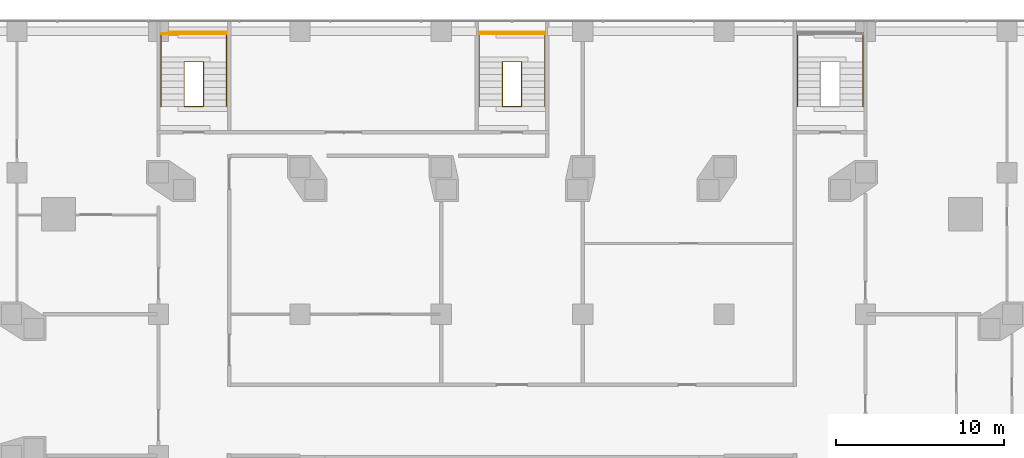
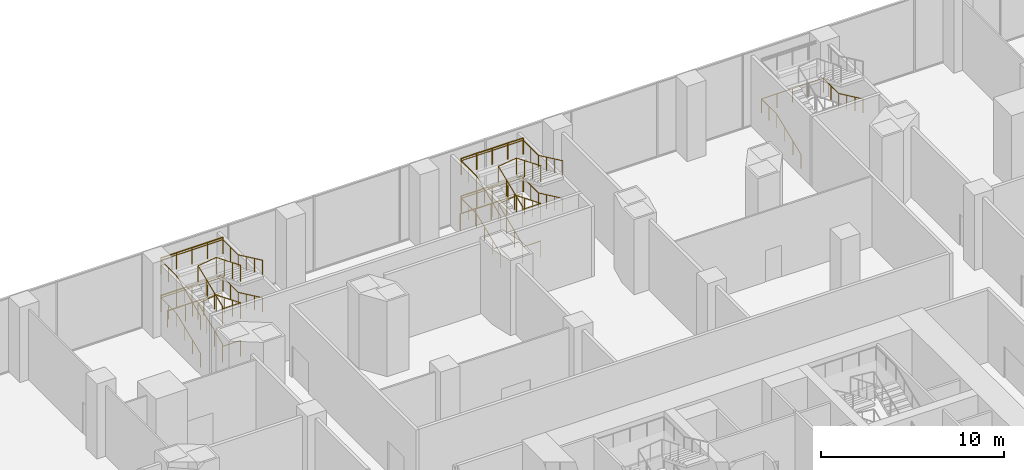
# One storey, part 27 of 28: 15 railings.
"""IFC4 building model written with IfcOpenShell, lengths in metres."""

import ifcopenshell
import ifcopenshell.guid

model = None  # the IFC model being written
_history = None  # IfcOwnerHistory: only IFC2X3 demands one
_inside = {}  # id of a spatial element -> (the spatial element, [elements in it])
_under = {}  # id of a project, library or spatial element -> (it, [spatial elements below it])
_declared = {}  # id of a project -> (the project, [libraries it declares])
_typed = {}  # id of a type object -> (the type object, [elements of that type])
_made_of = {}  # id of a material, layer set ... -> (it, [elements and type objects made of it])


def new_model(schema):
    """Start an empty IFC model of exactly this schema.

    Asked for "IFC4X3", IfcOpenShell would pick the latest addendum, in which some entities
    have other attributes; the version numbers below select the first issue.
    IFC2X3 requires an IfcOwnerHistory on every rooted entity: one is made here for all.
    """
    global model, _history
    if schema == "IFC4X3":
        model = ifcopenshell.file(schema_version=(4, 3, 0, 0))
    else:
        model = ifcopenshell.file(schema=schema)
    _inside.clear()
    _under.clear()
    _declared.clear()
    _typed.clear()
    _made_of.clear()
    _history = None
    if model.schema == "IFC2X3":
        org = make("IfcOrganization", Name="unknown")
        user = make(
            "IfcPersonAndOrganization",
            ThePerson=make("IfcPerson", FamilyName="unknown"),
            TheOrganization=org,
        )
        app = make(
            "IfcApplication",
            ApplicationDeveloper=org,
            Version="unknown",
            ApplicationFullName="unknown",
            ApplicationIdentifier="unknown",
        )
        _history = make(
            "IfcOwnerHistory",
            OwningUser=user,
            OwningApplication=app,
            ChangeAction="ADDED",
            CreationDate=0,
        )
    return model


def make(cls, **values):
    """One entity of the class cls with the attributes given. An attribute that is None is left unset."""
    return model.create_entity(
        cls, **{name: value for name, value in values.items() if value is not None}
    )


def rooted(cls, **values):
    """An entity with a GlobalId (a new one), such as an element, a storey or a relation."""
    return make(cls, GlobalId=ifcopenshell.guid.new(), OwnerHistory=_history, **values)


def si_unit(unit_type, name, prefix=None):
    """IfcSIUnit, for example si_unit("LENGTHUNIT", "METRE", prefix="MILLI")."""
    return make("IfcSIUnit", UnitType=unit_type, Prefix=prefix, Name=name)


def assignment(units):
    """IfcUnitAssignment: the units of a project."""
    return None if units is None else make("IfcUnitAssignment", Units=units)


def point(xyz):
    """IfcCartesianPoint."""
    return None if xyz is None else make("IfcCartesianPoint", Coordinates=xyz)


def direction(xyz):
    """IfcDirection."""
    return None if xyz is None else make("IfcDirection", DirectionRatios=xyz)


def frame(location, z_axis=None, x_axis=None):
    """IfcAxis2Placement3D, a coordinate frame: its origin and axes. An axis left out is left unset."""
    return make(
        "IfcAxis2Placement3D",
        Location=point(location),
        Axis=direction(z_axis),
        RefDirection=direction(x_axis),
    )


def frame_2d(location, x_axis=None):
    """IfcAxis2Placement2D, a coordinate frame in the plane: its origin and x axis."""
    return make(
        "IfcAxis2Placement2D", Location=point(location), RefDirection=direction(x_axis)
    )


def origin():
    """The frame at (0, 0, 0) with its axes left unset."""
    return frame((0.0, 0.0, 0.0))


def origin_2d():
    """The frame at (0, 0) in the plane with its x axis left unset."""
    return frame_2d((0.0, 0.0))


def place(relative_to, where):
    """IfcLocalPlacement: puts the frame where relative to a parent placement (None: the world)."""
    return make(
        "IfcLocalPlacement", PlacementRelTo=relative_to, RelativePlacement=where
    )


def context(
    kind, dimensions, precision=None, world=None, true_north=None, identifier=None
):
    """IfcGeometricRepresentationContext, for example the 3D "Model" context."""
    return make(
        "IfcGeometricRepresentationContext",
        ContextIdentifier=identifier,
        ContextType=kind,
        CoordinateSpaceDimension=dimensions,
        Precision=precision,
        WorldCoordinateSystem=world,
        TrueNorth=true_north,
    )


def subcontext(parent, identifier, kind, view, scale=None):
    """IfcGeometricRepresentationSubContext, for example "Body" below "Model"."""
    return make(
        "IfcGeometricRepresentationSubContext",
        ContextIdentifier=identifier,
        ContextType=kind,
        ParentContext=parent,
        TargetScale=scale,
        TargetView=view,
    )


def project(units=None, contexts=None):
    """IfcProject with its units and contexts."""
    return rooted(
        "IfcProject",
        Name="project",
        RepresentationContexts=contexts,
        UnitsInContext=assignment(units),
    )


def spatial(cls, under=None, at=None, **own):
    """A site, building, storey or space (cls), placed at a placement, below another one or the project."""
    s = rooted(cls, ObjectPlacement=at, **own)
    if under is not None:
        _under.setdefault(under.id(), (under, []))[1].append(s)
    return s


def profile(cls, at=None, kind="AREA", **sizes):
    """A parametric profile (cls). Its sizes go by their IFC names, for example OverallWidth=200.0."""
    return make(cls, ProfileType=kind, Position=at, **sizes)


def circle(**sizes):
    """IfcCircleProfileDef."""
    return profile("IfcCircleProfileDef", **sizes)


def extrude(swept, where, along, depth):
    """IfcExtrudedAreaSolid: the profile swept, set in the frame where, extruded along a direction by depth."""
    return make(
        "IfcExtrudedAreaSolid",
        SweptArea=swept,
        Position=where,
        ExtrudedDirection=direction(along),
        Depth=depth,
    )


def shape(context_of_items, identifier, shape_type, items):
    """IfcShapeRepresentation: the items that make up one representation, for example the "Body"."""
    return make(
        "IfcShapeRepresentation",
        ContextOfItems=context_of_items,
        RepresentationIdentifier=identifier,
        RepresentationType=shape_type,
        Items=items,
    )


def material(Name=None, Category=None):
    """IfcMaterial."""
    return make("IfcMaterial", Name=Name, Category=Category)


def made_of(thing, what):
    """Note that an element or type object is made of a material, layer set ...; save() writes the relation."""
    if what is not None:
        _made_of.setdefault(what.id(), (what, []))[1].append(thing)
    return thing


def type_object(cls, material=None, **own):
    """A type object (cls), such as IfcWallType, which elements share."""
    return made_of(rooted(cls, **own), material)


def element(
    cls,
    number,
    at=None,
    inside=None,
    cuts=None,
    type_object=None,
    material=None,
    context=None,
    identifier="Body",
    shape_type=None,
    held_by="IfcProductDefinitionShape",
    body=None,
    shapes=None,
    **own,
):
    """One element of the class cls, such as IfcWall. Its Tag is "e" and its number.

    at: its placement. inside: the storey or other place that contains it. cuts: it is an
    opening in that element (IfcRelVoidsElement). A single representation is given by context,
    identifier, shape_type and body (its items); several are given by shapes. held_by: the class
    of the entity that holds the representations. save() writes the other relations.
    """
    e = rooted(cls, Tag="e%d" % number, ObjectPlacement=at, **own)
    if body is not None:
        shapes = [shape(context, identifier, shape_type, body)]
    if shapes is not None:
        e.Representation = make(held_by, Representations=shapes)
    if inside is not None:
        _inside.setdefault(inside.id(), (inside, []))[1].append(e)
    if cuts is not None:
        rooted(
            "IfcRelVoidsElement", RelatingBuildingElement=cuts, RelatedOpeningElement=e
        )
    if type_object is not None:
        _typed.setdefault(type_object.id(), (type_object, []))[1].append(e)
    return made_of(e, material)


def aggregate(whole, parts):
    """IfcRelAggregates: a whole, such as a stair, and the parts it consists of."""
    return rooted("IfcRelAggregates", RelatingObject=whole, RelatedObjects=parts)


def save(model, path):
    """Write the relations noted so far, then the file.

    IfcRelAggregates (storeys below a building ...), IfcRelContainedInSpatialStructure (elements
    in a storey), IfcRelDefinesByType, IfcRelAssociatesMaterial and IfcRelDeclares: one each for
    every whole, place, type object, material and project.
    """
    for whole, parts in _under.values():
        aggregate(whole, parts)
    for where, things in _inside.values():
        rooted(
            "IfcRelContainedInSpatialStructure",
            RelatedElements=things,
            RelatingStructure=where,
        )
    for kind, things in _typed.values():
        rooted("IfcRelDefinesByType", RelatedObjects=things, RelatingType=kind)
    for what, things in _made_of.values():
        rooted("IfcRelAssociatesMaterial", RelatedObjects=things, RelatingMaterial=what)
    for by, libraries in _declared.values():
        rooted("IfcRelDeclares", RelatingContext=by, RelatedDefinitions=libraries)
    model.write(path)


model = new_model("IFC4")

# Units and contexts
model_context = context("Model", 3, precision=1e-05, world=origin(), true_north=direction((0.0, 1.0)))
body_context = subcontext(model_context, "Body", "Model", "MODEL_VIEW")
ifc_project = project(units=[si_unit("LENGTHUNIT", "METRE"), si_unit("AREAUNIT", "SQUARE_METRE"), si_unit("VOLUMEUNIT", "CUBIC_METRE"), si_unit("PLANEANGLEUNIT", "RADIAN"), si_unit("MASSUNIT", "GRAM", prefix="KILO")], contexts=[model_context])

# Site, building, storey
site_placement = place(None, origin())
site = spatial("IfcSite", under=ifc_project, at=site_placement, CompositionType="ELEMENT")
building_placement = place(site_placement, origin())
building = spatial("IfcBuilding", under=site, at=building_placement, Name="Marenta Gate Hotel Tower", CompositionType="ELEMENT")
storey_placement = place(building_placement, frame((0.0, 0.0, 26.0)))
storey = spatial("IfcBuildingStorey", under=building, at=storey_placement, Name="L04", CompositionType="ELEMENT", Elevation=26.0)

# Railings
ifc_material_1 = material(Name="Stainless steel", Category="steel")
railing_type_1 = type_object("IfcRailingType", Name="Core stair handrail 950", PredefinedType="HANDRAIL", material=ifc_material_1)
railing_1_placement = place(storey_placement, frame((-20.85009765625, 37.530029296875, 0.15625)))
element("IfcRailing", 1, at=railing_1_placement, inside=storey, type_object=railing_type_1, Name="HR-950 L04-KR-PX3-2", PredefinedType="HANDRAIL", context=body_context, shape_type="SweptSolid", body=[
    extrude(circle(Radius=0.02392578125, at=origin_2d()), frame((0.0, 0.0, 0.92578125), z_axis=(0.0, 0.924862585091, 0.38030145766), x_axis=(-1.0, 0.0, 0.0)), (0.0, 0.0, 1.0), 2.8759765625),
    extrude(circle(Radius=0.02392578125, at=origin_2d()), frame((0.0, 2.659912109375, 2.01953125), z_axis=(0.0, 1.0, 0.0), x_axis=(-1.0, 0.0, 0.0)), (0.0, 0.0, 1.0), 1.66015625),
    extrude(circle(Radius=0.02392578125, at=origin_2d()), frame((0.0, 4.320068359375, 2.01953125), z_axis=(1.0, 0.0, 0.0), x_axis=(0.0, 1.0, 0.0)), (0.0, 0.0, 1.0), 3.900146484375),
    extrude(circle(Radius=0.02392578125, at=origin_2d()), frame((3.900146484375, 4.320068359375, 2.01953125), z_axis=(0.0, -1.0, 0.0), x_axis=(1.0, 0.0, 0.0)), (0.0, 0.0, 1.0), 1.66015625),
    extrude(circle(Radius=0.02392578125, at=origin_2d()), frame((3.900146484375, 2.659912109375, 2.01953125), z_axis=(0.0, -0.905044486808, 0.425316913488), x_axis=(1.0, 0.0, 0.0)), (0.0, 0.0, 1.0), 2.93896484375),
    extrude(circle(Radius=0.02099609375, at=origin_2d()), origin(), (0.0, 0.0, 1.0), 0.90185546875),
    extrude(circle(Radius=0.02099609375, at=origin_2d()), frame((0.0, 0.88671875, 0.364501953125)), (0.0, 0.0, 1.0), 0.90185546875),
    extrude(circle(Radius=0.02099609375, at=origin_2d()), frame((0.0, 1.773193359375, 0.729248046875)), (0.0, 0.0, 1.0), 0.90185546875),
    extrude(circle(Radius=0.02099609375, at=origin_2d()), frame((0.0, 2.659912109375, 1.09375)), (0.0, 0.0, 1.0), 0.90185546875),
    extrude(circle(Radius=0.02099609375, at=origin_2d()), frame((0.0, 3.489990234375, 1.09375)), (0.0, 0.0, 1.0), 0.90185546875),
    extrude(circle(Radius=0.02099609375, at=origin_2d()), frame((0.0, 4.320068359375, 1.09375)), (0.0, 0.0, 1.0), 0.90185546875),
    extrude(circle(Radius=0.02099609375, at=origin_2d()), frame((0.97509765625, 4.320068359375, 1.09375)), (0.0, 0.0, 1.0), 0.90185546875),
    extrude(circle(Radius=0.02099609375, at=origin_2d()), frame((1.9501953125, 4.320068359375, 1.09375)), (0.0, 0.0, 1.0), 0.90185546875),
    extrude(circle(Radius=0.02099609375, at=origin_2d()), frame((2.925048828125, 4.320068359375, 1.09375)), (0.0, 0.0, 1.0), 0.90185546875),
    extrude(circle(Radius=0.02099609375, at=origin_2d()), frame((3.900146484375, 4.320068359375, 1.09375)), (0.0, 0.0, 1.0), 0.90185546875),
    extrude(circle(Radius=0.02099609375, at=origin_2d()), frame((3.900146484375, 3.489990234375, 1.09375)), (0.0, 0.0, 1.0), 0.90185546875),
    extrude(circle(Radius=0.02099609375, at=origin_2d()), frame((3.900146484375, 2.659912109375, 1.09375)), (0.0, 0.0, 1.0), 0.90185546875),
    extrude(circle(Radius=0.02099609375, at=origin_2d()), frame((3.900146484375, 1.773193359375, 1.510498046875)), (0.0, 0.0, 1.0), 0.90185546875),
    extrude(circle(Radius=0.02099609375, at=origin_2d()), frame((3.900146484375, 0.88671875, 1.927001953125)), (0.0, 0.0, 1.0), 0.90185546875),
    extrude(circle(Radius=0.02099609375, at=origin_2d()), frame((3.900146484375, 0.0, 2.34375)), (0.0, 0.0, 1.0), 0.90185546875),
])
railing_2_placement = place(storey_placement, frame((-20.85009765625, 37.530029296875, 2.65625)))
element("IfcRailing", 2, at=railing_2_placement, inside=storey, type_object=railing_type_1, Name="HR-950 L04-KR-PX3-5", PredefinedType="HANDRAIL", context=body_context, shape_type="SweptSolid", body=[
    extrude(circle(Radius=0.02392578125, at=origin_2d()), frame((0.0, 0.0, 0.92578125), z_axis=(0.0, 0.924862585091, 0.38030145766), x_axis=(-1.0, 0.0, 0.0)), (0.0, 0.0, 1.0), 2.8759765625),
    extrude(circle(Radius=0.02392578125, at=origin_2d()), frame((0.0, 2.659912109375, 2.01953125), z_axis=(0.0, 1.0, 0.0), x_axis=(-1.0, 0.0, 0.0)), (0.0, 0.0, 1.0), 1.66015625),
    extrude(circle(Radius=0.02392578125, at=origin_2d()), frame((0.0, 4.320068359375, 2.01953125), z_axis=(1.0, 0.0, 0.0), x_axis=(0.0, 1.0, 0.0)), (0.0, 0.0, 1.0), 3.900146484375),
    extrude(circle(Radius=0.02392578125, at=origin_2d()), frame((3.900146484375, 4.320068359375, 2.01953125), z_axis=(0.0, -1.0, 0.0), x_axis=(1.0, 0.0, 0.0)), (0.0, 0.0, 1.0), 1.66015625),
    extrude(circle(Radius=0.02392578125, at=origin_2d()), frame((3.900146484375, 2.659912109375, 2.01953125), z_axis=(0.0, -0.905044486808, 0.425316913488), x_axis=(1.0, 0.0, 0.0)), (0.0, 0.0, 1.0), 2.93896484375),
    extrude(circle(Radius=0.02099609375, at=origin_2d()), origin(), (0.0, 0.0, 1.0), 0.90185546875),
    extrude(circle(Radius=0.02099609375, at=origin_2d()), frame((0.0, 0.88671875, 0.364501953125)), (0.0, 0.0, 1.0), 0.90185546875),
    extrude(circle(Radius=0.02099609375, at=origin_2d()), frame((0.0, 1.773193359375, 0.729248046875)), (0.0, 0.0, 1.0), 0.90185546875),
    extrude(circle(Radius=0.02099609375, at=origin_2d()), frame((0.0, 2.659912109375, 1.09375)), (0.0, 0.0, 1.0), 0.90185546875),
    extrude(circle(Radius=0.02099609375, at=origin_2d()), frame((0.0, 3.489990234375, 1.09375)), (0.0, 0.0, 1.0), 0.90185546875),
    extrude(circle(Radius=0.02099609375, at=origin_2d()), frame((0.0, 4.320068359375, 1.09375)), (0.0, 0.0, 1.0), 0.90185546875),
    extrude(circle(Radius=0.02099609375, at=origin_2d()), frame((0.97509765625, 4.320068359375, 1.09375)), (0.0, 0.0, 1.0), 0.90185546875),
    extrude(circle(Radius=0.02099609375, at=origin_2d()), frame((1.9501953125, 4.320068359375, 1.09375)), (0.0, 0.0, 1.0), 0.90185546875),
    extrude(circle(Radius=0.02099609375, at=origin_2d()), frame((2.925048828125, 4.320068359375, 1.09375)), (0.0, 0.0, 1.0), 0.90185546875),
    extrude(circle(Radius=0.02099609375, at=origin_2d()), frame((3.900146484375, 4.320068359375, 1.09375)), (0.0, 0.0, 1.0), 0.90185546875),
    extrude(circle(Radius=0.02099609375, at=origin_2d()), frame((3.900146484375, 3.489990234375, 1.09375)), (0.0, 0.0, 1.0), 0.90185546875),
    extrude(circle(Radius=0.02099609375, at=origin_2d()), frame((3.900146484375, 2.659912109375, 1.09375)), (0.0, 0.0, 1.0), 0.90185546875),
    extrude(circle(Radius=0.02099609375, at=origin_2d()), frame((3.900146484375, 1.773193359375, 1.510498046875)), (0.0, 0.0, 1.0), 0.90185546875),
    extrude(circle(Radius=0.02099609375, at=origin_2d()), frame((3.900146484375, 0.88671875, 1.927001953125)), (0.0, 0.0, 1.0), 0.90185546875),
    extrude(circle(Radius=0.02099609375, at=origin_2d()), frame((3.900146484375, 0.0, 2.34375)), (0.0, 0.0, 1.0), 0.90185546875),
])
railing_3_placement = place(storey_placement, frame((16.949951171875, 37.530029296875, 0.15625)))
element("IfcRailing", 3, at=railing_3_placement, inside=storey, type_object=railing_type_1, Name="HR-950 L04-KR-PX4-2", PredefinedType="HANDRAIL", context=body_context, shape_type="SweptSolid", body=[
    extrude(circle(Radius=0.02392578125, at=origin_2d()), frame((0.0, 0.0, 0.92578125), z_axis=(0.0, 0.924862585091, 0.38030145766), x_axis=(-1.0, 0.0, 0.0)), (0.0, 0.0, 1.0), 2.8759765625),
    extrude(circle(Radius=0.02392578125, at=origin_2d()), frame((0.0, 2.659912109375, 2.01953125), z_axis=(0.0, 1.0, 0.0), x_axis=(-1.0, 0.0, 0.0)), (0.0, 0.0, 1.0), 1.66015625),
    extrude(circle(Radius=0.02392578125, at=origin_2d()), frame((0.0, 4.320068359375, 2.01953125), z_axis=(1.0, 0.0, 0.0), x_axis=(0.0, 1.0, 0.0)), (0.0, 0.0, 1.0), 3.900146484375),
    extrude(circle(Radius=0.02392578125, at=origin_2d()), frame((3.900146484375, 4.320068359375, 2.01953125), z_axis=(0.0, -1.0, 0.0), x_axis=(1.0, 0.0, 0.0)), (0.0, 0.0, 1.0), 1.66015625),
    extrude(circle(Radius=0.02392578125, at=origin_2d()), frame((3.900146484375, 2.659912109375, 2.01953125), z_axis=(0.0, -0.905044486808, 0.425316913488), x_axis=(1.0, 0.0, 0.0)), (0.0, 0.0, 1.0), 2.93896484375),
    extrude(circle(Radius=0.02099609375, at=origin_2d()), origin(), (0.0, 0.0, 1.0), 0.90185546875),
    extrude(circle(Radius=0.02099609375, at=origin_2d()), frame((0.0, 0.88671875, 0.364501953125)), (0.0, 0.0, 1.0), 0.90185546875),
    extrude(circle(Radius=0.02099609375, at=origin_2d()), frame((0.0, 1.773193359375, 0.729248046875)), (0.0, 0.0, 1.0), 0.90185546875),
    extrude(circle(Radius=0.02099609375, at=origin_2d()), frame((0.0, 2.659912109375, 1.09375)), (0.0, 0.0, 1.0), 0.90185546875),
    extrude(circle(Radius=0.02099609375, at=origin_2d()), frame((0.0, 3.489990234375, 1.09375)), (0.0, 0.0, 1.0), 0.90185546875),
    extrude(circle(Radius=0.02099609375, at=origin_2d()), frame((0.0, 4.320068359375, 1.09375)), (0.0, 0.0, 1.0), 0.90185546875),
    extrude(circle(Radius=0.02099609375, at=origin_2d()), frame((0.97509765625, 4.320068359375, 1.09375)), (0.0, 0.0, 1.0), 0.90185546875),
    extrude(circle(Radius=0.02099609375, at=origin_2d()), frame((1.9501953125, 4.320068359375, 1.09375)), (0.0, 0.0, 1.0), 0.90185546875),
    extrude(circle(Radius=0.02099609375, at=origin_2d()), frame((2.925048828125, 4.320068359375, 1.09375)), (0.0, 0.0, 1.0), 0.90185546875),
    extrude(circle(Radius=0.02099609375, at=origin_2d()), frame((3.900146484375, 4.320068359375, 1.09375)), (0.0, 0.0, 1.0), 0.90185546875),
    extrude(circle(Radius=0.02099609375, at=origin_2d()), frame((3.900146484375, 3.489990234375, 1.09375)), (0.0, 0.0, 1.0), 0.90185546875),
    extrude(circle(Radius=0.02099609375, at=origin_2d()), frame((3.900146484375, 2.659912109375, 1.09375)), (0.0, 0.0, 1.0), 0.90185546875),
    extrude(circle(Radius=0.02099609375, at=origin_2d()), frame((3.900146484375, 1.773193359375, 1.510498046875)), (0.0, 0.0, 1.0), 0.90185546875),
    extrude(circle(Radius=0.02099609375, at=origin_2d()), frame((3.900146484375, 0.88671875, 1.927001953125)), (0.0, 0.0, 1.0), 0.90185546875),
    extrude(circle(Radius=0.02099609375, at=origin_2d()), frame((3.900146484375, 0.0, 2.34375)), (0.0, 0.0, 1.0), 0.90185546875),
])
railing_4_placement = place(storey_placement, frame((-1.949951171875, 37.530029296875, 0.15625)))
element("IfcRailing", 4, at=railing_4_placement, inside=storey, type_object=railing_type_1, Name="HR-950 L04-KR-PX8-2", PredefinedType="HANDRAIL", context=body_context, shape_type="SweptSolid", body=[
    extrude(circle(Radius=0.02392578125, at=origin_2d()), frame((0.0, 0.0, 0.92578125), z_axis=(0.0, 0.924862585091, 0.38030145766), x_axis=(-1.0, 0.0, 0.0)), (0.0, 0.0, 1.0), 2.8759765625),
    extrude(circle(Radius=0.02392578125, at=origin_2d()), frame((0.0, 2.659912109375, 2.01953125), z_axis=(0.0, 1.0, 0.0), x_axis=(-1.0, 0.0, 0.0)), (0.0, 0.0, 1.0), 1.66015625),
    extrude(circle(Radius=0.02392578125, at=origin_2d()), frame((0.0, 4.320068359375, 2.01953125), z_axis=(1.0, 0.0, 0.0), x_axis=(0.0, 1.0, 0.0)), (0.0, 0.0, 1.0), 3.89990234375),
    extrude(circle(Radius=0.02392578125, at=origin_2d()), frame((3.89990234375, 4.320068359375, 2.01953125), z_axis=(0.0, -1.0, 0.0), x_axis=(1.0, 0.0, 0.0)), (0.0, 0.0, 1.0), 1.66015625),
    extrude(circle(Radius=0.02392578125, at=origin_2d()), frame((3.89990234375, 2.659912109375, 2.01953125), z_axis=(0.0, -0.905044486808, 0.425316913488), x_axis=(1.0, 0.0, 0.0)), (0.0, 0.0, 1.0), 2.93896484375),
    extrude(circle(Radius=0.02099609375, at=origin_2d()), origin(), (0.0, 0.0, 1.0), 0.90185546875),
    extrude(circle(Radius=0.02099609375, at=origin_2d()), frame((0.0, 0.88671875, 0.364501953125)), (0.0, 0.0, 1.0), 0.90185546875),
    extrude(circle(Radius=0.02099609375, at=origin_2d()), frame((0.0, 1.773193359375, 0.729248046875)), (0.0, 0.0, 1.0), 0.90185546875),
    extrude(circle(Radius=0.02099609375, at=origin_2d()), frame((0.0, 2.659912109375, 1.09375)), (0.0, 0.0, 1.0), 0.90185546875),
    extrude(circle(Radius=0.02099609375, at=origin_2d()), frame((0.0, 3.489990234375, 1.09375)), (0.0, 0.0, 1.0), 0.90185546875),
    extrude(circle(Radius=0.02099609375, at=origin_2d()), frame((0.0, 4.320068359375, 1.09375)), (0.0, 0.0, 1.0), 0.90185546875),
    extrude(circle(Radius=0.02099609375, at=origin_2d()), frame((0.97509765625, 4.320068359375, 1.09375)), (0.0, 0.0, 1.0), 0.90185546875),
    extrude(circle(Radius=0.02099609375, at=origin_2d()), frame((1.949951171875, 4.320068359375, 1.09375)), (0.0, 0.0, 1.0), 0.90185546875),
    extrude(circle(Radius=0.02099609375, at=origin_2d()), frame((2.9248046875, 4.320068359375, 1.09375)), (0.0, 0.0, 1.0), 0.90185546875),
    extrude(circle(Radius=0.02099609375, at=origin_2d()), frame((3.89990234375, 4.320068359375, 1.09375)), (0.0, 0.0, 1.0), 0.90185546875),
    extrude(circle(Radius=0.02099609375, at=origin_2d()), frame((3.89990234375, 3.489990234375, 1.09375)), (0.0, 0.0, 1.0), 0.90185546875),
    extrude(circle(Radius=0.02099609375, at=origin_2d()), frame((3.89990234375, 2.659912109375, 1.09375)), (0.0, 0.0, 1.0), 0.90185546875),
    extrude(circle(Radius=0.02099609375, at=origin_2d()), frame((3.89990234375, 1.773193359375, 1.510498046875)), (0.0, 0.0, 1.0), 0.90185546875),
    extrude(circle(Radius=0.02099609375, at=origin_2d()), frame((3.89990234375, 0.88671875, 1.927001953125)), (0.0, 0.0, 1.0), 0.90185546875),
    extrude(circle(Radius=0.02099609375, at=origin_2d()), frame((3.89990234375, 0.0, 2.34375)), (0.0, 0.0, 1.0), 0.90185546875),
])
railing_5_placement = place(storey_placement, frame((-1.949951171875, 37.530029296875, 2.65625)))
element("IfcRailing", 5, at=railing_5_placement, inside=storey, type_object=railing_type_1, Name="HR-950 L04-KR-PX8-5", PredefinedType="HANDRAIL", context=body_context, shape_type="SweptSolid", body=[
    extrude(circle(Radius=0.02392578125, at=origin_2d()), frame((0.0, 0.0, 0.92578125), z_axis=(0.0, 0.924862585091, 0.38030145766), x_axis=(-1.0, 0.0, 0.0)), (0.0, 0.0, 1.0), 2.8759765625),
    extrude(circle(Radius=0.02392578125, at=origin_2d()), frame((0.0, 2.659912109375, 2.01953125), z_axis=(0.0, 1.0, 0.0), x_axis=(-1.0, 0.0, 0.0)), (0.0, 0.0, 1.0), 1.66015625),
    extrude(circle(Radius=0.02392578125, at=origin_2d()), frame((0.0, 4.320068359375, 2.01953125), z_axis=(1.0, 0.0, 0.0), x_axis=(0.0, 1.0, 0.0)), (0.0, 0.0, 1.0), 3.89990234375),
    extrude(circle(Radius=0.02392578125, at=origin_2d()), frame((3.89990234375, 4.320068359375, 2.01953125), z_axis=(0.0, -1.0, 0.0), x_axis=(1.0, 0.0, 0.0)), (0.0, 0.0, 1.0), 1.66015625),
    extrude(circle(Radius=0.02392578125, at=origin_2d()), frame((3.89990234375, 2.659912109375, 2.01953125), z_axis=(0.0, -0.905044486808, 0.425316913488), x_axis=(1.0, 0.0, 0.0)), (0.0, 0.0, 1.0), 2.93896484375),
    extrude(circle(Radius=0.02099609375, at=origin_2d()), origin(), (0.0, 0.0, 1.0), 0.90185546875),
    extrude(circle(Radius=0.02099609375, at=origin_2d()), frame((0.0, 0.88671875, 0.364501953125)), (0.0, 0.0, 1.0), 0.90185546875),
    extrude(circle(Radius=0.02099609375, at=origin_2d()), frame((0.0, 1.773193359375, 0.729248046875)), (0.0, 0.0, 1.0), 0.90185546875),
    extrude(circle(Radius=0.02099609375, at=origin_2d()), frame((0.0, 2.659912109375, 1.09375)), (0.0, 0.0, 1.0), 0.90185546875),
    extrude(circle(Radius=0.02099609375, at=origin_2d()), frame((0.0, 3.489990234375, 1.09375)), (0.0, 0.0, 1.0), 0.90185546875),
    extrude(circle(Radius=0.02099609375, at=origin_2d()), frame((0.0, 4.320068359375, 1.09375)), (0.0, 0.0, 1.0), 0.90185546875),
    extrude(circle(Radius=0.02099609375, at=origin_2d()), frame((0.97509765625, 4.320068359375, 1.09375)), (0.0, 0.0, 1.0), 0.90185546875),
    extrude(circle(Radius=0.02099609375, at=origin_2d()), frame((1.949951171875, 4.320068359375, 1.09375)), (0.0, 0.0, 1.0), 0.90185546875),
    extrude(circle(Radius=0.02099609375, at=origin_2d()), frame((2.9248046875, 4.320068359375, 1.09375)), (0.0, 0.0, 1.0), 0.90185546875),
    extrude(circle(Radius=0.02099609375, at=origin_2d()), frame((3.89990234375, 4.320068359375, 1.09375)), (0.0, 0.0, 1.0), 0.90185546875),
    extrude(circle(Radius=0.02099609375, at=origin_2d()), frame((3.89990234375, 3.489990234375, 1.09375)), (0.0, 0.0, 1.0), 0.90185546875),
    extrude(circle(Radius=0.02099609375, at=origin_2d()), frame((3.89990234375, 2.659912109375, 1.09375)), (0.0, 0.0, 1.0), 0.90185546875),
    extrude(circle(Radius=0.02099609375, at=origin_2d()), frame((3.89990234375, 1.773193359375, 1.510498046875)), (0.0, 0.0, 1.0), 0.90185546875),
    extrude(circle(Radius=0.02099609375, at=origin_2d()), frame((3.89990234375, 0.88671875, 1.927001953125)), (0.0, 0.0, 1.0), 0.90185546875),
    extrude(circle(Radius=0.02099609375, at=origin_2d()), frame((3.89990234375, 0.0, 2.34375)), (0.0, 0.0, 1.0), 0.90185546875),
])
ifc_material_2 = material(Name="Stainless steel", Category="steel")
railing_type_2 = type_object("IfcRailingType", Name="Core stair well guard 1100", PredefinedType="GUARDRAIL", material=ifc_material_2)
railing_6_placement = place(storey_placement, frame((-20.85009765625, 41.85009765625, 1.25)))
element("IfcRailing", 6, at=railing_6_placement, inside=storey, type_object=railing_type_2, Name="GR-1100 L04-KR-PX3-1", PredefinedType="GUARDRAIL", context=body_context, shape_type="SweptSolid", body=[
    extrude(circle(Radius=0.02392578125, at=origin_2d()), frame((0.0, 0.0, 1.076171875), z_axis=(1.0, 0.0, 0.0), x_axis=(0.0, 1.0, 0.0)), (0.0, 0.0, 1.0), 3.900146484375),
    extrude(circle(Radius=0.02099609375, at=origin_2d()), origin(), (0.0, 0.0, 1.0), 1.052001953125),
    extrude(circle(Radius=0.02099609375, at=origin_2d()), frame((0.97509765625, 0.0, 0.0)), (0.0, 0.0, 1.0), 1.052001953125),
    extrude(circle(Radius=0.02099609375, at=origin_2d()), frame((1.9501953125, 0.0, 0.0)), (0.0, 0.0, 1.0), 1.052001953125),
    extrude(circle(Radius=0.02099609375, at=origin_2d()), frame((2.925048828125, 0.0, 0.0)), (0.0, 0.0, 1.0), 1.052001953125),
    extrude(circle(Radius=0.02099609375, at=origin_2d()), frame((3.900146484375, 0.0, 0.0)), (0.0, 0.0, 1.0), 1.052001953125),
])
railing_7_placement = place(storey_placement, frame((-18.330078125, 37.530029296875, 0.0)))
element("IfcRailing", 7, at=railing_7_placement, inside=storey, type_object=railing_type_2, Name="GR-1100 L04-KR-PX3-3", PredefinedType="GUARDRAIL", context=body_context, shape_type="SweptSolid", body=[
    extrude(circle(Radius=0.02392578125, at=origin_2d()), frame((0.0, 0.0, 1.076171875), z_axis=(-1.0, 0.0, 0.0), x_axis=(0.0, -1.0, 0.0)), (0.0, 0.0, 1.0), 1.139892578125),
    extrude(circle(Radius=0.02392578125, at=origin_2d()), frame((-1.139892578125, 0.0, 1.076171875), z_axis=(0.0, 0.0, 1.0), x_axis=(1.0, 0.0, 0.0)), (0.0, 0.0, 1.0), 0.15625),
    extrude(circle(Radius=0.02392578125, at=origin_2d()), frame((-1.139892578125, 0.0, 1.232421875), z_axis=(0.0, 0.924862585091, 0.38030145766), x_axis=(-1.0, 0.0, 0.0)), (0.0, 0.0, 1.0), 2.8759765625),
    extrude(circle(Radius=0.02392578125, at=origin_2d()), frame((-1.139892578125, 2.659912109375, 2.326171875), z_axis=(0.990735666123, 0.0, 0.135804417717), x_axis=(0.0, 1.0, 0.0)), (0.0, 0.0, 1.0), 1.150634765625),
    extrude(circle(Radius=0.02392578125, at=origin_2d()), frame((0.0, 2.659912109375, 2.482421875), z_axis=(0.0, -0.924862585091, 0.38030145766), x_axis=(1.0, 0.0, 0.0)), (0.0, 0.0, 1.0), 2.8759765625),
    extrude(circle(Radius=0.02099609375, at=origin_2d()), origin(), (0.0, 0.0, 1.0), 1.052001953125),
    extrude(circle(Radius=0.02099609375, at=origin_2d()), frame((-1.139892578125, 0.0, 0.0)), (0.0, 0.0, 1.0), 1.052001953125),
    extrude(circle(Radius=0.02099609375, at=origin_2d()), frame((-1.139892578125, 0.0, 0.15625)), (0.0, 0.0, 1.0), 1.052001953125),
    extrude(circle(Radius=0.02099609375, at=origin_2d()), frame((-1.139892578125, 0.88671875, 0.520751953125)), (0.0, 0.0, 1.0), 1.052001953125),
    extrude(circle(Radius=0.02099609375, at=origin_2d()), frame((-1.139892578125, 1.773193359375, 0.885498046875)), (0.0, 0.0, 1.0), 1.052001953125),
    extrude(circle(Radius=0.02099609375, at=origin_2d()), frame((-1.139892578125, 2.659912109375, 1.25)), (0.0, 0.0, 1.0), 1.052001953125),
    extrude(circle(Radius=0.02099609375, at=origin_2d()), frame((0.0, 2.659912109375, 1.40625)), (0.0, 0.0, 1.0), 1.052001953125),
    extrude(circle(Radius=0.02099609375, at=origin_2d()), frame((0.0, 1.773193359375, 1.770751953125)), (0.0, 0.0, 1.0), 1.052001953125),
    extrude(circle(Radius=0.02099609375, at=origin_2d()), frame((0.0, 0.88671875, 2.135498046875)), (0.0, 0.0, 1.0), 1.052001953125),
    extrude(circle(Radius=0.02099609375, at=origin_2d()), frame((0.0, 0.0, 2.5)), (0.0, 0.0, 1.0), 1.052001953125),
])
railing_8_placement = place(storey_placement, frame((-20.85009765625, 41.85009765625, 3.75)))
element("IfcRailing", 8, at=railing_8_placement, inside=storey, type_object=railing_type_2, Name="GR-1100 L04-KR-PX3-4", PredefinedType="GUARDRAIL", context=body_context, shape_type="SweptSolid", body=[
    extrude(circle(Radius=0.02392578125, at=origin_2d()), frame((0.0, 0.0, 1.076171875), z_axis=(1.0, 0.0, 0.0), x_axis=(0.0, 1.0, 0.0)), (0.0, 0.0, 1.0), 3.900146484375),
    extrude(circle(Radius=0.02099609375, at=origin_2d()), origin(), (0.0, 0.0, 1.0), 1.052001953125),
    extrude(circle(Radius=0.02099609375, at=origin_2d()), frame((0.97509765625, 0.0, 0.0)), (0.0, 0.0, 1.0), 1.052001953125),
    extrude(circle(Radius=0.02099609375, at=origin_2d()), frame((1.9501953125, 0.0, 0.0)), (0.0, 0.0, 1.0), 1.052001953125),
    extrude(circle(Radius=0.02099609375, at=origin_2d()), frame((2.925048828125, 0.0, 0.0)), (0.0, 0.0, 1.0), 1.052001953125),
    extrude(circle(Radius=0.02099609375, at=origin_2d()), frame((3.900146484375, 0.0, 0.0)), (0.0, 0.0, 1.0), 1.052001953125),
])
railing_9_placement = place(storey_placement, frame((-18.330078125, 37.530029296875, 2.5)))
element("IfcRailing", 9, at=railing_9_placement, inside=storey, type_object=railing_type_2, Name="GR-1100 L04-KR-PX3-6", PredefinedType="GUARDRAIL", context=body_context, shape_type="SweptSolid", body=[
    extrude(circle(Radius=0.02392578125, at=origin_2d()), frame((0.0, 0.0, 1.076171875), z_axis=(-1.0, 0.0, 0.0), x_axis=(0.0, -1.0, 0.0)), (0.0, 0.0, 1.0), 1.139892578125),
    extrude(circle(Radius=0.02392578125, at=origin_2d()), frame((-1.139892578125, 0.0, 1.076171875), z_axis=(0.0, 0.0, 1.0), x_axis=(1.0, 0.0, 0.0)), (0.0, 0.0, 1.0), 0.15625),
    extrude(circle(Radius=0.02392578125, at=origin_2d()), frame((-1.139892578125, 0.0, 1.232421875), z_axis=(0.0, 0.924862585091, 0.38030145766), x_axis=(-1.0, 0.0, 0.0)), (0.0, 0.0, 1.0), 2.8759765625),
    extrude(circle(Radius=0.02392578125, at=origin_2d()), frame((-1.139892578125, 2.659912109375, 2.326171875), z_axis=(0.990735666123, 0.0, 0.135804417717), x_axis=(0.0, 1.0, 0.0)), (0.0, 0.0, 1.0), 1.150634765625),
    extrude(circle(Radius=0.02392578125, at=origin_2d()), frame((0.0, 2.659912109375, 2.482421875), z_axis=(0.0, -0.924862585091, 0.38030145766), x_axis=(1.0, 0.0, 0.0)), (0.0, 0.0, 1.0), 2.8759765625),
    extrude(circle(Radius=0.02099609375, at=origin_2d()), origin(), (0.0, 0.0, 1.0), 1.052001953125),
    extrude(circle(Radius=0.02099609375, at=origin_2d()), frame((-1.139892578125, 0.0, 0.0)), (0.0, 0.0, 1.0), 1.052001953125),
    extrude(circle(Radius=0.02099609375, at=origin_2d()), frame((-1.139892578125, 0.0, 0.15625)), (0.0, 0.0, 1.0), 1.052001953125),
    extrude(circle(Radius=0.02099609375, at=origin_2d()), frame((-1.139892578125, 0.88671875, 0.520751953125)), (0.0, 0.0, 1.0), 1.052001953125),
    extrude(circle(Radius=0.02099609375, at=origin_2d()), frame((-1.139892578125, 1.773193359375, 0.885498046875)), (0.0, 0.0, 1.0), 1.052001953125),
    extrude(circle(Radius=0.02099609375, at=origin_2d()), frame((-1.139892578125, 2.659912109375, 1.25)), (0.0, 0.0, 1.0), 1.052001953125),
    extrude(circle(Radius=0.02099609375, at=origin_2d()), frame((0.0, 2.659912109375, 1.40625)), (0.0, 0.0, 1.0), 1.052001953125),
    extrude(circle(Radius=0.02099609375, at=origin_2d()), frame((0.0, 1.773193359375, 1.770751953125)), (0.0, 0.0, 1.0), 1.052001953125),
    extrude(circle(Radius=0.02099609375, at=origin_2d()), frame((0.0, 0.88671875, 2.135498046875)), (0.0, 0.0, 1.0), 1.052001953125),
    extrude(circle(Radius=0.02099609375, at=origin_2d()), frame((0.0, 0.0, 2.5)), (0.0, 0.0, 1.0), 1.052001953125),
])
railing_10_placement = place(storey_placement, frame((-1.949951171875, 41.85009765625, 1.25)))
element("IfcRailing", 10, at=railing_10_placement, inside=storey, type_object=railing_type_2, Name="GR-1100 L04-KR-PX8-1", PredefinedType="GUARDRAIL", context=body_context, shape_type="SweptSolid", body=[
    extrude(circle(Radius=0.02392578125, at=origin_2d()), frame((0.0, 0.0, 1.076171875), z_axis=(1.0, 0.0, 0.0), x_axis=(0.0, 1.0, 0.0)), (0.0, 0.0, 1.0), 3.89990234375),
    extrude(circle(Radius=0.02099609375, at=origin_2d()), origin(), (0.0, 0.0, 1.0), 1.052001953125),
    extrude(circle(Radius=0.02099609375, at=origin_2d()), frame((0.97509765625, 0.0, 0.0)), (0.0, 0.0, 1.0), 1.052001953125),
    extrude(circle(Radius=0.02099609375, at=origin_2d()), frame((1.949951171875, 0.0, 0.0)), (0.0, 0.0, 1.0), 1.052001953125),
    extrude(circle(Radius=0.02099609375, at=origin_2d()), frame((2.9248046875, 0.0, 0.0)), (0.0, 0.0, 1.0), 1.052001953125),
    extrude(circle(Radius=0.02099609375, at=origin_2d()), frame((3.89990234375, 0.0, 0.0)), (0.0, 0.0, 1.0), 1.052001953125),
])
railing_11_placement = place(storey_placement, frame((0.570068359375, 37.530029296875, 0.0)))
element("IfcRailing", 11, at=railing_11_placement, inside=storey, type_object=railing_type_2, Name="GR-1100 L04-KR-PX8-3", PredefinedType="GUARDRAIL", context=body_context, shape_type="SweptSolid", body=[
    extrude(circle(Radius=0.02392578125, at=origin_2d()), frame((0.0, 0.0, 1.076171875), z_axis=(-1.0, 0.0, 0.0), x_axis=(0.0, -1.0, 0.0)), (0.0, 0.0, 1.0), 1.14013671875),
    extrude(circle(Radius=0.02392578125, at=origin_2d()), frame((-1.14013671875, 0.0, 1.076171875), z_axis=(0.0, 0.0, 1.0), x_axis=(1.0, 0.0, 0.0)), (0.0, 0.0, 1.0), 0.15625),
    extrude(circle(Radius=0.02392578125, at=origin_2d()), frame((-1.14013671875, 0.0, 1.232421875), z_axis=(0.0, 0.924862585091, 0.38030145766), x_axis=(-1.0, 0.0, 0.0)), (0.0, 0.0, 1.0), 2.8759765625),
    extrude(circle(Radius=0.02392578125, at=origin_2d()), frame((-1.14013671875, 2.659912109375, 2.326171875), z_axis=(0.990739578357, 0.0, 0.135775873693), x_axis=(0.0, 1.0, 0.0)), (0.0, 0.0, 1.0), 1.15087890625),
    extrude(circle(Radius=0.02392578125, at=origin_2d()), frame((0.0, 2.659912109375, 2.482421875), z_axis=(0.0, -0.924862585091, 0.38030145766), x_axis=(1.0, 0.0, 0.0)), (0.0, 0.0, 1.0), 2.8759765625),
    extrude(circle(Radius=0.02099609375, at=origin_2d()), origin(), (0.0, 0.0, 1.0), 1.052001953125),
    extrude(circle(Radius=0.02099609375, at=origin_2d()), frame((-1.14013671875, 0.0, 0.0)), (0.0, 0.0, 1.0), 1.052001953125),
    extrude(circle(Radius=0.02099609375, at=origin_2d()), frame((-1.14013671875, 0.0, 0.15625)), (0.0, 0.0, 1.0), 1.052001953125),
    extrude(circle(Radius=0.02099609375, at=origin_2d()), frame((-1.14013671875, 0.88671875, 0.520751953125)), (0.0, 0.0, 1.0), 1.052001953125),
    extrude(circle(Radius=0.02099609375, at=origin_2d()), frame((-1.14013671875, 1.773193359375, 0.885498046875)), (0.0, 0.0, 1.0), 1.052001953125),
    extrude(circle(Radius=0.02099609375, at=origin_2d()), frame((-1.14013671875, 2.659912109375, 1.25)), (0.0, 0.0, 1.0), 1.052001953125),
    extrude(circle(Radius=0.02099609375, at=origin_2d()), frame((0.0, 2.659912109375, 1.40625)), (0.0, 0.0, 1.0), 1.052001953125),
    extrude(circle(Radius=0.02099609375, at=origin_2d()), frame((0.0, 1.773193359375, 1.770751953125)), (0.0, 0.0, 1.0), 1.052001953125),
    extrude(circle(Radius=0.02099609375, at=origin_2d()), frame((0.0, 0.88671875, 2.135498046875)), (0.0, 0.0, 1.0), 1.052001953125),
    extrude(circle(Radius=0.02099609375, at=origin_2d()), frame((0.0, 0.0, 2.5)), (0.0, 0.0, 1.0), 1.052001953125),
])
railing_12_placement = place(storey_placement, frame((-1.949951171875, 41.85009765625, 3.75)))
element("IfcRailing", 12, at=railing_12_placement, inside=storey, type_object=railing_type_2, Name="GR-1100 L04-KR-PX8-4", PredefinedType="GUARDRAIL", context=body_context, shape_type="SweptSolid", body=[
    extrude(circle(Radius=0.02392578125, at=origin_2d()), frame((0.0, 0.0, 1.076171875), z_axis=(1.0, 0.0, 0.0), x_axis=(0.0, 1.0, 0.0)), (0.0, 0.0, 1.0), 3.89990234375),
    extrude(circle(Radius=0.02099609375, at=origin_2d()), origin(), (0.0, 0.0, 1.0), 1.052001953125),
    extrude(circle(Radius=0.02099609375, at=origin_2d()), frame((0.97509765625, 0.0, 0.0)), (0.0, 0.0, 1.0), 1.052001953125),
    extrude(circle(Radius=0.02099609375, at=origin_2d()), frame((1.949951171875, 0.0, 0.0)), (0.0, 0.0, 1.0), 1.052001953125),
    extrude(circle(Radius=0.02099609375, at=origin_2d()), frame((2.9248046875, 0.0, 0.0)), (0.0, 0.0, 1.0), 1.052001953125),
    extrude(circle(Radius=0.02099609375, at=origin_2d()), frame((3.89990234375, 0.0, 0.0)), (0.0, 0.0, 1.0), 1.052001953125),
])
railing_13_placement = place(storey_placement, frame((0.570068359375, 37.530029296875, 2.5)))
element("IfcRailing", 13, at=railing_13_placement, inside=storey, type_object=railing_type_2, Name="GR-1100 L04-KR-PX8-6", PredefinedType="GUARDRAIL", context=body_context, shape_type="SweptSolid", body=[
    extrude(circle(Radius=0.02392578125, at=origin_2d()), frame((0.0, 0.0, 1.076171875), z_axis=(-1.0, 0.0, 0.0), x_axis=(0.0, -1.0, 0.0)), (0.0, 0.0, 1.0), 1.14013671875),
    extrude(circle(Radius=0.02392578125, at=origin_2d()), frame((-1.14013671875, 0.0, 1.076171875), z_axis=(0.0, 0.0, 1.0), x_axis=(1.0, 0.0, 0.0)), (0.0, 0.0, 1.0), 0.15625),
    extrude(circle(Radius=0.02392578125, at=origin_2d()), frame((-1.14013671875, 0.0, 1.232421875), z_axis=(0.0, 0.924862585091, 0.38030145766), x_axis=(-1.0, 0.0, 0.0)), (0.0, 0.0, 1.0), 2.8759765625),
    extrude(circle(Radius=0.02392578125, at=origin_2d()), frame((-1.14013671875, 2.659912109375, 2.326171875), z_axis=(0.990739578357, 0.0, 0.135775873693), x_axis=(0.0, 1.0, 0.0)), (0.0, 0.0, 1.0), 1.15087890625),
    extrude(circle(Radius=0.02392578125, at=origin_2d()), frame((0.0, 2.659912109375, 2.482421875), z_axis=(0.0, -0.924862585091, 0.38030145766), x_axis=(1.0, 0.0, 0.0)), (0.0, 0.0, 1.0), 2.8759765625),
    extrude(circle(Radius=0.02099609375, at=origin_2d()), origin(), (0.0, 0.0, 1.0), 1.052001953125),
    extrude(circle(Radius=0.02099609375, at=origin_2d()), frame((-1.14013671875, 0.0, 0.0)), (0.0, 0.0, 1.0), 1.052001953125),
    extrude(circle(Radius=0.02099609375, at=origin_2d()), frame((-1.14013671875, 0.0, 0.15625)), (0.0, 0.0, 1.0), 1.052001953125),
    extrude(circle(Radius=0.02099609375, at=origin_2d()), frame((-1.14013671875, 0.88671875, 0.520751953125)), (0.0, 0.0, 1.0), 1.052001953125),
    extrude(circle(Radius=0.02099609375, at=origin_2d()), frame((-1.14013671875, 1.773193359375, 0.885498046875)), (0.0, 0.0, 1.0), 1.052001953125),
    extrude(circle(Radius=0.02099609375, at=origin_2d()), frame((-1.14013671875, 2.659912109375, 1.25)), (0.0, 0.0, 1.0), 1.052001953125),
    extrude(circle(Radius=0.02099609375, at=origin_2d()), frame((0.0, 2.659912109375, 1.40625)), (0.0, 0.0, 1.0), 1.052001953125),
    extrude(circle(Radius=0.02099609375, at=origin_2d()), frame((0.0, 1.773193359375, 1.770751953125)), (0.0, 0.0, 1.0), 1.052001953125),
    extrude(circle(Radius=0.02099609375, at=origin_2d()), frame((0.0, 0.88671875, 2.135498046875)), (0.0, 0.0, 1.0), 1.052001953125),
    extrude(circle(Radius=0.02099609375, at=origin_2d()), frame((0.0, 0.0, 2.5)), (0.0, 0.0, 1.0), 1.052001953125),
])
ifc_material_3 = material(Name="Stainless steel", Category="steel")
railing_type_3 = type_object("IfcRailingType", Name="Slab edge guard 1100", PredefinedType="GUARDRAIL", material=ifc_material_3)
railing_14_placement = place(storey_placement, frame((-20.3798828125, 41.9599609375, 0.0)))
element("IfcRailing", 14, at=railing_14_placement, inside=storey, type_object=railing_type_3, Name="GR-1100E L04-PGS-PX3-1", PredefinedType="GUARDRAIL", context=body_context, shape_type="SweptSolid", body=[
    extrude(circle(Radius=0.02392578125, at=origin_2d()), frame((0.0, 0.0, 1.076171875), z_axis=(1.0, 0.0, 0.0), x_axis=(0.0, 1.0, 0.0)), (0.0, 0.0, 1.0), 3.429931640625),
    extrude(circle(Radius=0.02099609375, at=origin_2d()), origin(), (0.0, 0.0, 1.0), 1.052001953125),
    extrude(circle(Radius=0.02099609375, at=origin_2d()), frame((1.143310546875, 0.0, 0.0)), (0.0, 0.0, 1.0), 1.052001953125),
    extrude(circle(Radius=0.02099609375, at=origin_2d()), frame((2.28662109375, 0.0, 0.0)), (0.0, 0.0, 1.0), 1.052001953125),
    extrude(circle(Radius=0.02099609375, at=origin_2d()), frame((3.429931640625, 0.0, 0.0)), (0.0, 0.0, 1.0), 1.052001953125),
])
railing_15_placement = place(storey_placement, frame((-1.949951171875, 41.9599609375, 0.0)))
element("IfcRailing", 15, at=railing_15_placement, inside=storey, type_object=railing_type_3, Name="GR-1100E L04-PGS-PX8-5", PredefinedType="GUARDRAIL", context=body_context, shape_type="SweptSolid", body=[
    extrude(circle(Radius=0.02392578125, at=origin_2d()), frame((0.0, 0.0, 1.076171875), z_axis=(1.0, 0.0, 0.0), x_axis=(0.0, 1.0, 0.0)), (0.0, 0.0, 1.0), 3.89990234375),
    extrude(circle(Radius=0.02099609375, at=origin_2d()), origin(), (0.0, 0.0, 1.0), 1.052001953125),
    extrude(circle(Radius=0.02099609375, at=origin_2d()), frame((0.97509765625, 0.0, 0.0)), (0.0, 0.0, 1.0), 1.052001953125),
    extrude(circle(Radius=0.02099609375, at=origin_2d()), frame((1.949951171875, 0.0, 0.0)), (0.0, 0.0, 1.0), 1.052001953125),
    extrude(circle(Radius=0.02099609375, at=origin_2d()), frame((2.9248046875, 0.0, 0.0)), (0.0, 0.0, 1.0), 1.052001953125),
    extrude(circle(Radius=0.02099609375, at=origin_2d()), frame((3.89990234375, 0.0, 0.0)), (0.0, 0.0, 1.0), 1.052001953125),
])

save(model, "model.ifc")
